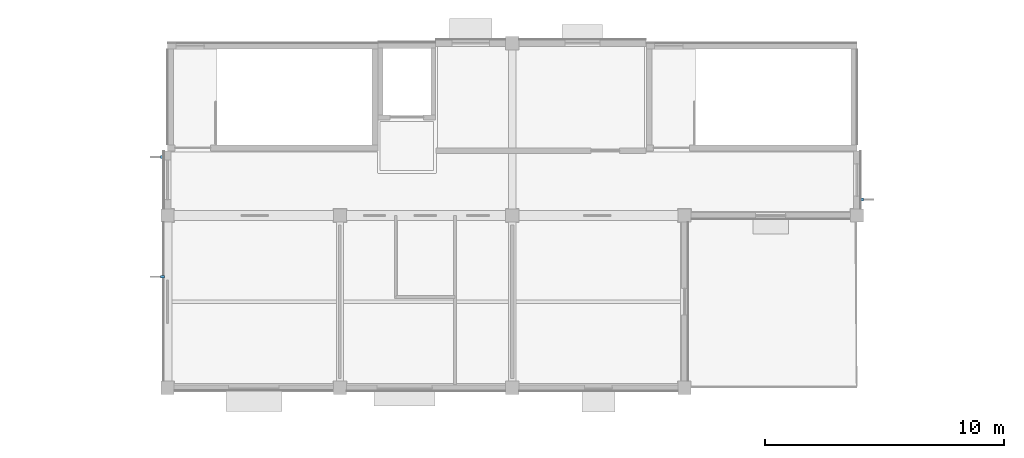
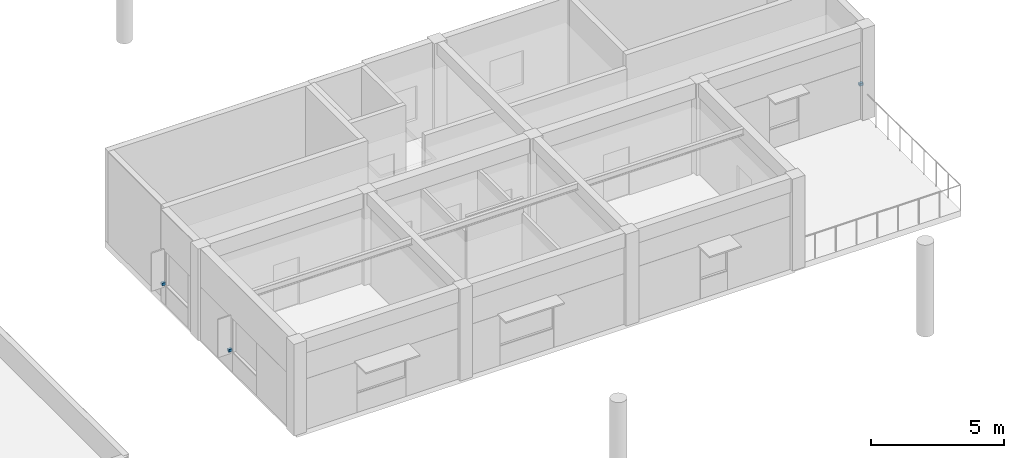
# One storey, part 17 of 29: 3 discrete accessories.
"""IFC4 building model written with IfcOpenShell, lengths in metres."""

import ifcopenshell
import ifcopenshell.guid

model = None  # the IFC model being written
_history = None  # IfcOwnerHistory: only IFC2X3 demands one
_inside = {}  # id of a spatial element -> (the spatial element, [elements in it])
_under = {}  # id of a project, library or spatial element -> (it, [spatial elements below it])
_declared = {}  # id of a project -> (the project, [libraries it declares])
_typed = {}  # id of a type object -> (the type object, [elements of that type])
_made_of = {}  # id of a material, layer set ... -> (it, [elements and type objects made of it])


def new_model(schema):
    """Start an empty IFC model of exactly this schema.

    Asked for "IFC4X3", IfcOpenShell would pick the latest addendum, in which some entities
    have other attributes; the version numbers below select the first issue.
    IFC2X3 requires an IfcOwnerHistory on every rooted entity: one is made here for all.
    """
    global model, _history
    if schema == "IFC4X3":
        model = ifcopenshell.file(schema_version=(4, 3, 0, 0))
    else:
        model = ifcopenshell.file(schema=schema)
    _inside.clear()
    _under.clear()
    _declared.clear()
    _typed.clear()
    _made_of.clear()
    _history = None
    if model.schema == "IFC2X3":
        org = make("IfcOrganization", Name="unknown")
        user = make(
            "IfcPersonAndOrganization",
            ThePerson=make("IfcPerson", FamilyName="unknown"),
            TheOrganization=org,
        )
        app = make(
            "IfcApplication",
            ApplicationDeveloper=org,
            Version="unknown",
            ApplicationFullName="unknown",
            ApplicationIdentifier="unknown",
        )
        _history = make(
            "IfcOwnerHistory",
            OwningUser=user,
            OwningApplication=app,
            ChangeAction="ADDED",
            CreationDate=0,
        )
    return model


def make(cls, **values):
    """One entity of the class cls with the attributes given. An attribute that is None is left unset."""
    return model.create_entity(
        cls, **{name: value for name, value in values.items() if value is not None}
    )


def rooted(cls, **values):
    """An entity with a GlobalId (a new one), such as an element, a storey or a relation."""
    return make(cls, GlobalId=ifcopenshell.guid.new(), OwnerHistory=_history, **values)


def si_unit(unit_type, name, prefix=None):
    """IfcSIUnit, for example si_unit("LENGTHUNIT", "METRE", prefix="MILLI")."""
    return make("IfcSIUnit", UnitType=unit_type, Prefix=prefix, Name=name)


def assignment(units):
    """IfcUnitAssignment: the units of a project."""
    return None if units is None else make("IfcUnitAssignment", Units=units)


def point(xyz):
    """IfcCartesianPoint."""
    return None if xyz is None else make("IfcCartesianPoint", Coordinates=xyz)


def direction(xyz):
    """IfcDirection."""
    return None if xyz is None else make("IfcDirection", DirectionRatios=xyz)


def frame(location, z_axis=None, x_axis=None):
    """IfcAxis2Placement3D, a coordinate frame: its origin and axes. An axis left out is left unset."""
    return make(
        "IfcAxis2Placement3D",
        Location=point(location),
        Axis=direction(z_axis),
        RefDirection=direction(x_axis),
    )


def frame_2d(location, x_axis=None):
    """IfcAxis2Placement2D, a coordinate frame in the plane: its origin and x axis."""
    return make(
        "IfcAxis2Placement2D", Location=point(location), RefDirection=direction(x_axis)
    )


def origin():
    """The frame at (0, 0, 0) with its axes left unset."""
    return frame((0.0, 0.0, 0.0))


def origin_2d():
    """The frame at (0, 0) in the plane with its x axis left unset."""
    return frame_2d((0.0, 0.0))


def place(relative_to, where):
    """IfcLocalPlacement: puts the frame where relative to a parent placement (None: the world)."""
    return make(
        "IfcLocalPlacement", PlacementRelTo=relative_to, RelativePlacement=where
    )


def context(
    kind, dimensions, precision=None, world=None, true_north=None, identifier=None
):
    """IfcGeometricRepresentationContext, for example the 3D "Model" context."""
    return make(
        "IfcGeometricRepresentationContext",
        ContextIdentifier=identifier,
        ContextType=kind,
        CoordinateSpaceDimension=dimensions,
        Precision=precision,
        WorldCoordinateSystem=world,
        TrueNorth=true_north,
    )


def subcontext(parent, identifier, kind, view, scale=None):
    """IfcGeometricRepresentationSubContext, for example "Body" below "Model"."""
    return make(
        "IfcGeometricRepresentationSubContext",
        ContextIdentifier=identifier,
        ContextType=kind,
        ParentContext=parent,
        TargetScale=scale,
        TargetView=view,
    )


def project(units=None, contexts=None):
    """IfcProject with its units and contexts."""
    return rooted(
        "IfcProject",
        Name="project",
        RepresentationContexts=contexts,
        UnitsInContext=assignment(units),
    )


def spatial(cls, under=None, at=None, **own):
    """A site, building, storey or space (cls), placed at a placement, below another one or the project."""
    s = rooted(cls, ObjectPlacement=at, **own)
    if under is not None:
        _under.setdefault(under.id(), (under, []))[1].append(s)
    return s


def profile(cls, at=None, kind="AREA", **sizes):
    """A parametric profile (cls). Its sizes go by their IFC names, for example OverallWidth=200.0."""
    return make(cls, ProfileType=kind, Position=at, **sizes)


def rectangle(**sizes):
    """IfcRectangleProfileDef."""
    return profile("IfcRectangleProfileDef", **sizes)


def extrude(swept, where, along, depth):
    """IfcExtrudedAreaSolid: the profile swept, set in the frame where, extruded along a direction by depth."""
    return make(
        "IfcExtrudedAreaSolid",
        SweptArea=swept,
        Position=where,
        ExtrudedDirection=direction(along),
        Depth=depth,
    )


def shape(context_of_items, identifier, shape_type, items):
    """IfcShapeRepresentation: the items that make up one representation, for example the "Body"."""
    return make(
        "IfcShapeRepresentation",
        ContextOfItems=context_of_items,
        RepresentationIdentifier=identifier,
        RepresentationType=shape_type,
        Items=items,
    )


def material(Name=None, Category=None):
    """IfcMaterial."""
    return make("IfcMaterial", Name=Name, Category=Category)


def made_of(thing, what):
    """Note that an element or type object is made of a material, layer set ...; save() writes the relation."""
    if what is not None:
        _made_of.setdefault(what.id(), (what, []))[1].append(thing)
    return thing


def type_object(cls, material=None, **own):
    """A type object (cls), such as IfcWallType, which elements share."""
    return made_of(rooted(cls, **own), material)


def element(
    cls,
    number,
    at=None,
    inside=None,
    cuts=None,
    type_object=None,
    material=None,
    context=None,
    identifier="Body",
    shape_type=None,
    held_by="IfcProductDefinitionShape",
    body=None,
    shapes=None,
    **own,
):
    """One element of the class cls, such as IfcWall. Its Tag is "e" and its number.

    at: its placement. inside: the storey or other place that contains it. cuts: it is an
    opening in that element (IfcRelVoidsElement). A single representation is given by context,
    identifier, shape_type and body (its items); several are given by shapes. held_by: the class
    of the entity that holds the representations. save() writes the other relations.
    """
    e = rooted(cls, Tag="e%d" % number, ObjectPlacement=at, **own)
    if body is not None:
        shapes = [shape(context, identifier, shape_type, body)]
    if shapes is not None:
        e.Representation = make(held_by, Representations=shapes)
    if inside is not None:
        _inside.setdefault(inside.id(), (inside, []))[1].append(e)
    if cuts is not None:
        rooted(
            "IfcRelVoidsElement", RelatingBuildingElement=cuts, RelatedOpeningElement=e
        )
    if type_object is not None:
        _typed.setdefault(type_object.id(), (type_object, []))[1].append(e)
    return made_of(e, material)


def aggregate(whole, parts):
    """IfcRelAggregates: a whole, such as a stair, and the parts it consists of."""
    return rooted("IfcRelAggregates", RelatingObject=whole, RelatedObjects=parts)


def save(model, path):
    """Write the relations noted so far, then the file.

    IfcRelAggregates (storeys below a building ...), IfcRelContainedInSpatialStructure (elements
    in a storey), IfcRelDefinesByType, IfcRelAssociatesMaterial and IfcRelDeclares: one each for
    every whole, place, type object, material and project.
    """
    for whole, parts in _under.values():
        aggregate(whole, parts)
    for where, things in _inside.values():
        rooted(
            "IfcRelContainedInSpatialStructure",
            RelatedElements=things,
            RelatingStructure=where,
        )
    for kind, things in _typed.values():
        rooted("IfcRelDefinesByType", RelatedObjects=things, RelatingType=kind)
    for what, things in _made_of.values():
        rooted("IfcRelAssociatesMaterial", RelatedObjects=things, RelatingMaterial=what)
    for by, libraries in _declared.values():
        rooted("IfcRelDeclares", RelatingContext=by, RelatedDefinitions=libraries)
    model.write(path)


model = new_model("IFC4")

# Units and contexts
model_context = context("Model", 3, precision=1e-05, world=origin(), true_north=direction((0.0, 1.0)))
body_context = subcontext(model_context, "Body", "Model", "MODEL_VIEW")
ifc_project = project(units=[si_unit("LENGTHUNIT", "METRE"), si_unit("AREAUNIT", "SQUARE_METRE"), si_unit("VOLUMEUNIT", "CUBIC_METRE"), si_unit("PLANEANGLEUNIT", "RADIAN"), si_unit("MASSUNIT", "GRAM", prefix="KILO")], contexts=[model_context])

# Site, building, storey
site_placement = place(None, origin())
site = spatial("IfcSite", under=ifc_project, at=site_placement, CompositionType="ELEMENT")
building_placement = place(site_placement, origin())
building = spatial("IfcBuilding", under=site, at=building_placement, Name="Namkhue Oval Health Centre", CompositionType="ELEMENT")
storey_placement = place(building_placement, frame((0.0, 0.0, 18.0)))
storey = spatial("IfcBuildingStorey", under=building, at=storey_placement, Name="L04", CompositionType="ELEMENT", Elevation=18.0)

# Discrete accessories
ifc_material = material(Name="Structural steel S355JR (TCVN CCT38)", Category="steel")
discrete_accessory_type = type_object("IfcDiscreteAccessoryType", Name="FACADE SHADING BRACKET", PredefinedType="BRACKET", material=ifc_material)
for number, where, z_axis, x_axis, name in (
    (1, (122.594970703125, 22.26953125, 0.89990234375), (0.0, 0.0, 1.0), (1.0, 0.0, 0.0), "Window Fin Bracket 290"),
    (2, (93.389892578125, 24.049560546875, 0.89990234375), (0.0, 0.0, 1.0), (-1.0, 0.0, 0.0), "Window Fin Bracket 293"),
    (3, (93.385009765625, 19.0400390625, 0.89990234375), (0.0, 0.0, 1.0), (-1.0, 0.0, 0.0), "Window Fin Bracket 294"),
):
    element("IfcDiscreteAccessory", number, at=place(storey_placement, frame(where, z_axis=z_axis, x_axis=x_axis)), inside=storey, type_object=discrete_accessory_type, Name=name, PredefinedType="BRACKET", context=body_context, shape_type="SweptSolid", body=[
        extrude(rectangle(XDim=0.159912109375, YDim=0.1201171875, at=origin_2d()), origin(), (0.0, 0.0, 1.0), 0.1201171875),
    ])

save(model, "model.ifc")
